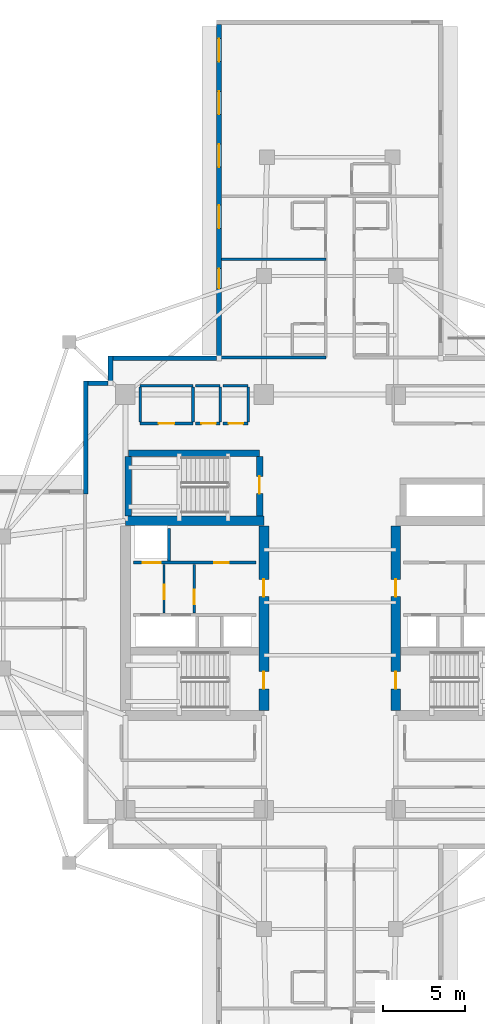
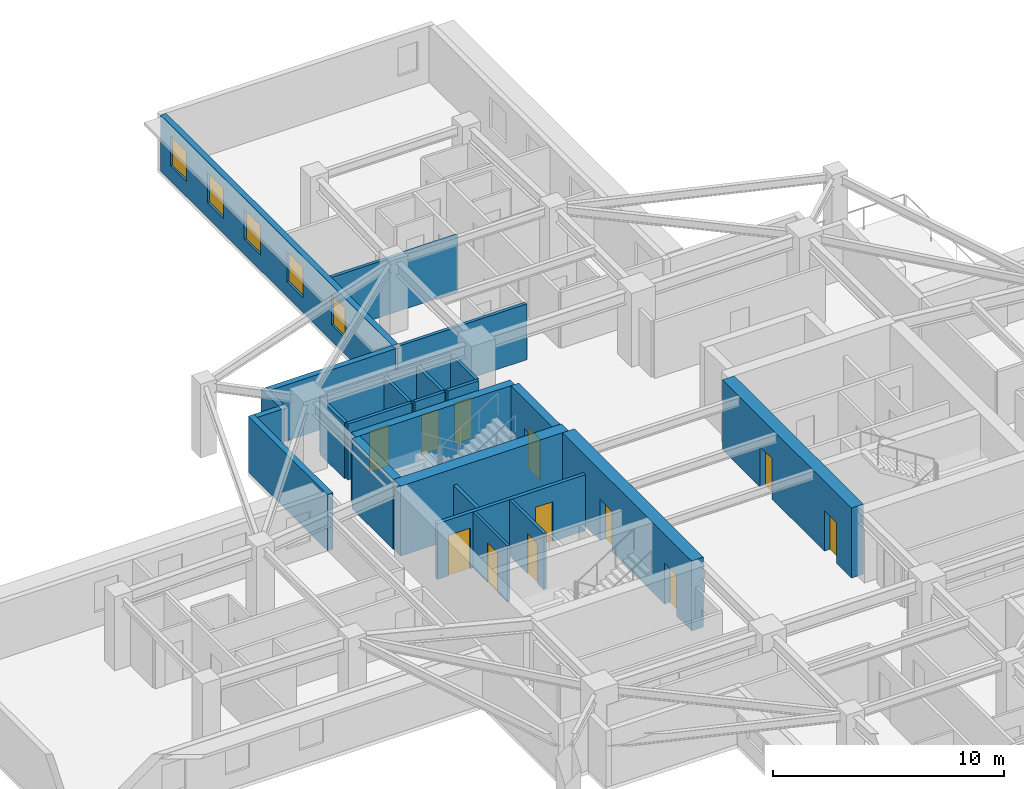
# One storey, part 5 of 13: 27 walls, 12 doors, 5 windows, 17 openings.
"""IFC4 building model written with IfcOpenShell, lengths in metres."""

from ifc_helpers import new_model, si_unit, direction, frame, frame_2d, origin, place, context, subcontext, project, spatial, rectangle, extrude, material, layer, layer_set, type_object, element, fill, save


model = new_model("IFC4")

# Units and contexts
model_context = context("Model", 3, precision=1e-05, world=origin(), true_north=direction((0.0, 1.0)))
body_context = subcontext(model_context, "Body", "Model", "MODEL_VIEW")
ifc_project = project(units=[si_unit("LENGTHUNIT", "METRE"), si_unit("AREAUNIT", "SQUARE_METRE"), si_unit("VOLUMEUNIT", "CUBIC_METRE"), si_unit("PLANEANGLEUNIT", "RADIAN"), si_unit("MASSUNIT", "GRAM", prefix="KILO")], contexts=[model_context])

# Site, building, storey
site_placement = place(None, origin())
site = spatial("IfcSite", under=ifc_project, at=site_placement, CompositionType="ELEMENT")
building_placement = place(site_placement, origin())
building = spatial("IfcBuilding", under=site, at=building_placement, Name="Qingluan Cross Belvedere", CompositionType="ELEMENT")
storey_placement = place(building_placement, frame((0.0, 0.0, 183.89990234375)))
storey = spatial("IfcBuildingStorey", under=building, at=storey_placement, Name="L46", CompositionType="ELEMENT", Elevation=183.89990234375)

# Walls
ifc_material_1 = material(Name="Concrete C50", Category="concrete")
ifc_layer_1 = layer(ifc_material_1, 0.449951171875, Name="CoreShearWall_450")
ifc_layer_set_1 = layer_set([ifc_layer_1], Name="Concrete C50")
wall_type_1 = type_object("IfcWallType", Name="CoreShearWall_450", PredefinedType="SHEAR", material=ifc_layer_set_1)
wall_1_placement = place(storey_placement, frame((-12.219970703125, 9.0400390625, 0.0), z_axis=(0.0, 0.0, 1.0), x_axis=(1.0, 0.0, 0.0)))
element("IfcWall", 1, at=wall_1_placement, inside=storey, type_object=wall_type_1, Name="Stair ST3 structural wall N L46", PredefinedType="SHEAR", context=body_context, shape_type="SweptSolid", body=[
    extrude(rectangle(XDim=7.9599609375, YDim=0.39990234375, at=frame_2d((3.97998046875, 0.0))), origin(), (0.0, 0.0, 1.0), 3.7001953125),
])
wall_2_placement = place(storey_placement, frame((-12.219970703125, 5.2548828125, 0.0), z_axis=(0.0, 0.0, 1.0), x_axis=(0.0, 1.0, 0.0)))
element("IfcWall", 2, at=wall_2_placement, inside=storey, type_object=wall_type_1, Name="Stair ST3 structural wall W L46", PredefinedType="SHEAR", context=body_context, shape_type="SweptSolid", body=[
    extrude(rectangle(XDim=3.580078125, YDim=0.39990234375, at=frame_2d((1.7900390625, 0.0))), origin(), (0.0, 0.0, 1.0), 3.7001953125),
])

# Wall, opening, door
wall_3_placement = place(storey_placement, frame((-4.260009765625, 5.2548828125, 0.0), z_axis=(0.0, 0.0, 1.0), x_axis=(0.0, 1.0, 0.0)))
wall_3 = element("IfcWall", 3, at=wall_3_placement, inside=storey, type_object=wall_type_1, Name="Stair ST3 structural wall E L46", PredefinedType="SHEAR", context=body_context, shape_type="SweptSolid", body=[
    extrude(rectangle(XDim=3.580078125, YDim=0.39990234375, at=frame_2d((1.7900390625, 0.0))), origin(), (0.0, 0.0, 1.0), 3.7001953125),
])
opening_1_placement = place(wall_3_placement, frame((1.344970703125, 0.0, 0.0)))
opening_1 = element("IfcOpeningElement", 4, at=opening_1_placement, cuts=wall_3, Name="Opening FD-B11", PredefinedType="OPENING", context=body_context, shape_type="SweptSolid", body=[
    extrude(rectangle(XDim=1.050048828125, YDim=2.14990234375, at=frame_2d((0.52490234375, 1.074951171875))), frame((0.0, 0.2099609375, 0.0), z_axis=(0.0, -1.0, 0.0), x_axis=(1.0, 0.0, 0.0)), (0.0, 0.0, 1.0), 0.419921875),
])
ifc_material_2 = material(Name="Steel Class B smoke-seal fire door", Category="steel")
door_type_1 = type_object("IfcDoorType", Name="StairLobbyFireDoor_FDB", OperationType="NOTDEFINED", PredefinedType="DOOR", material=ifc_material_2)
door_1_placement = place(opening_1_placement, origin())
door_1 = element("IfcDoor", 5, at=door_1_placement, inside=storey, type_object=door_type_1, Name="Smoke-proof stair ST3 fire door L46", OperationType="SINGLE_SWING_RIGHT", OverallHeight=2.14990234375, OverallWidth=1.050048828125, PredefinedType="DOOR", context=body_context, shape_type="SweptSolid", body=[
    extrude(rectangle(XDim=1.050048828125, YDim=2.14990234375, at=frame_2d((0.52490234375, 1.074951171875))), frame((0.0, 0.02490234375, 0.0), z_axis=(0.0, -1.0, 0.0), x_axis=(1.0, 0.0, 0.0)), (0.0, 0.0, 1.0), 0.050048828125),
])
fill(opening_1, door_1)

# Wall
ifc_material_3 = material(Name="Concrete C60", Category="concrete")
ifc_layer_2 = layer(ifc_material_3, 0.60009765625, Name="CoreShearWall_600")
ifc_layer_set_2 = layer_set([ifc_layer_2], Name="Concrete C60")
wall_type_2 = type_object("IfcWallType", Name="CoreShearWall_600", PredefinedType="SHEAR", material=ifc_layer_set_2)
wall_4_placement = place(storey_placement, frame((-12.39990234375, 4.949951171875, 0.0), z_axis=(0.0, 0.0, 1.0), x_axis=(1.0, 0.0, 0.0)))
element("IfcWall", 6, at=wall_4_placement, inside=storey, type_object=wall_type_2, Name="Split core W shear wall L46-N", PredefinedType="SHEAR", context=body_context, shape_type="SweptSolid", body=[
    extrude(rectangle(XDim=8.39990234375, YDim=0.60009765625, at=frame_2d((4.199951171875, 0.0))), origin(), (0.0, 0.0, 1.0), 3.7001953125),
])

# Wall, openings, doors
wall_5_placement = place(storey_placement, frame((-4.0, -6.544921875, 0.0), z_axis=(0.0, 0.0, 1.0), x_axis=(0.0, 1.0, 0.0)))
wall_5 = element("IfcWall", 7, at=wall_5_placement, inside=storey, type_object=wall_type_2, Name="Split core W shear wall L46-E", PredefinedType="SHEAR", context=body_context, shape_type="SweptSolid", body=[
    extrude(rectangle(XDim=11.18994140625, YDim=0.60009765625, at=frame_2d((5.594970703125, 0.0))), origin(), (0.0, 0.0, 1.0), 3.7001953125),
])
opening_2_placement = place(wall_5_placement, frame((1.294921875, 0.0, 0.0)))
opening_2 = element("IfcOpeningElement", 8, at=opening_2_placement, cuts=wall_5, Name="Opening FD-B11", PredefinedType="OPENING", context=body_context, shape_type="SweptSolid", body=[
    extrude(rectangle(XDim=1.050048828125, YDim=2.14990234375, at=frame_2d((0.52490234375, 1.074951171875))), frame((0.0, 0.31005859375, 0.0), z_axis=(0.0, -1.0, 0.0), x_axis=(1.0, 0.0, 0.0)), (0.0, 0.0, 1.0), 0.6201171875),
])
opening_3_placement = place(wall_5_placement, frame((6.89501953125, 0.0, 0.0)))
opening_3 = element("IfcOpeningElement", 9, at=opening_3_placement, cuts=wall_5, Name="Opening FD-B11", PredefinedType="OPENING", context=body_context, shape_type="SweptSolid", body=[
    extrude(rectangle(XDim=1.050048828125, YDim=2.14990234375, at=frame_2d((0.52490234375, 1.074951171875))), frame((0.0, 0.31005859375, 0.0), z_axis=(0.0, -1.0, 0.0), x_axis=(1.0, 0.0, 0.0)), (0.0, 0.0, 1.0), 0.6201171875),
])
door_2_placement = place(opening_2_placement, origin())
door_2 = element("IfcDoor", 10, at=door_2_placement, inside=storey, type_object=door_type_1, Name="Smoke-proof stair ST1 fire door L46", OperationType="SINGLE_SWING_RIGHT", OverallHeight=2.14990234375, OverallWidth=1.050048828125, PredefinedType="DOOR", context=body_context, shape_type="SweptSolid", body=[
    extrude(rectangle(XDim=1.050048828125, YDim=2.14990234375, at=frame_2d((0.52490234375, 1.074951171875))), frame((0.0, 0.02490234375, 0.0), z_axis=(0.0, -1.0, 0.0), x_axis=(1.0, 0.0, 0.0)), (0.0, 0.0, 1.0), 0.050048828125),
])
fill(opening_2, door_2)
door_3_placement = place(opening_3_placement, origin())
door_3 = element("IfcDoor", 11, at=door_3_placement, inside=storey, type_object=door_type_1, Name="Firefighting lobby West fire door L46", OperationType="SINGLE_SWING_RIGHT", OverallHeight=2.14990234375, OverallWidth=1.050048828125, PredefinedType="DOOR", context=body_context, shape_type="SweptSolid", body=[
    extrude(rectangle(XDim=1.050048828125, YDim=2.14990234375, at=frame_2d((0.52490234375, 1.074951171875))), frame((0.0, 0.02490234375, 0.0), z_axis=(0.0, -1.0, 0.0), x_axis=(1.0, 0.0, 0.0)), (0.0, 0.0, 1.0), 0.050048828125),
])
fill(opening_3, door_3)

wall_6_placement = place(storey_placement, frame((4.0, -6.544921875, 0.0), z_axis=(0.0, 0.0, 1.0), x_axis=(0.0, 1.0, 0.0)))
wall_6 = element("IfcWall", 12, at=wall_6_placement, inside=storey, type_object=wall_type_2, Name="Split core E shear wall L46-W", PredefinedType="SHEAR", context=body_context, shape_type="SweptSolid", body=[
    extrude(rectangle(XDim=11.18994140625, YDim=0.60009765625, at=frame_2d((5.594970703125, 0.0))), origin(), (0.0, 0.0, 1.0), 3.7001953125),
])
opening_4_placement = place(wall_6_placement, frame((1.294921875, 0.0, 0.0)))
opening_4 = element("IfcOpeningElement", 13, at=opening_4_placement, cuts=wall_6, Name="Opening FD-B11", PredefinedType="OPENING", context=body_context, shape_type="SweptSolid", body=[
    extrude(rectangle(XDim=1.050048828125, YDim=2.14990234375, at=frame_2d((0.52490234375, 1.074951171875))), frame((0.0, 0.31005859375, 0.0), z_axis=(0.0, -1.0, 0.0), x_axis=(1.0, 0.0, 0.0)), (0.0, 0.0, 1.0), 0.6201171875),
])
opening_5_placement = place(wall_6_placement, frame((6.89501953125, 0.0, 0.0)))
opening_5 = element("IfcOpeningElement", 14, at=opening_5_placement, cuts=wall_6, Name="Opening FD-B11", PredefinedType="OPENING", context=body_context, shape_type="SweptSolid", body=[
    extrude(rectangle(XDim=1.050048828125, YDim=2.14990234375, at=frame_2d((0.52490234375, 1.074951171875))), frame((0.0, 0.31005859375, 0.0), z_axis=(0.0, -1.0, 0.0), x_axis=(1.0, 0.0, 0.0)), (0.0, 0.0, 1.0), 0.6201171875),
])
door_4_placement = place(opening_4_placement, origin())
door_4 = element("IfcDoor", 15, at=door_4_placement, inside=storey, type_object=door_type_1, Name="Smoke-proof stair ST2 fire door L46", OperationType="SINGLE_SWING_LEFT", OverallHeight=2.14990234375, OverallWidth=1.050048828125, PredefinedType="DOOR", context=body_context, shape_type="SweptSolid", body=[
    extrude(rectangle(XDim=1.050048828125, YDim=2.14990234375, at=frame_2d((0.52490234375, 1.074951171875))), frame((0.0, 0.02490234375, 0.0), z_axis=(0.0, -1.0, 0.0), x_axis=(1.0, 0.0, 0.0)), (0.0, 0.0, 1.0), 0.050048828125),
])
fill(opening_4, door_4)
door_5_placement = place(opening_5_placement, origin())
door_5 = element("IfcDoor", 16, at=door_5_placement, inside=storey, type_object=door_type_1, Name="Firefighting lobby East fire door L46", OperationType="SINGLE_SWING_LEFT", OverallHeight=2.14990234375, OverallWidth=1.050048828125, PredefinedType="DOOR", context=body_context, shape_type="SweptSolid", body=[
    extrude(rectangle(XDim=1.050048828125, YDim=2.14990234375, at=frame_2d((0.52490234375, 1.074951171875))), frame((0.0, 0.02490234375, 0.0), z_axis=(0.0, -1.0, 0.0), x_axis=(1.0, 0.0, 0.0)), (0.0, 0.0, 1.0), 0.050048828125),
])
fill(opening_5, door_5)

# Wall, opening, door
ifc_material_4 = material(Name="Gypsum plasterboard on steel stud acoustic partition", Category="steel")
ifc_layer_3 = layer(ifc_material_4, 0.159912109375, Name="CorridorPartition_160")
ifc_layer_set_3 = layer_set([ifc_layer_3], Name="Gypsum plasterboard on steel stud acoustic partition")
wall_type_3 = type_object("IfcWallType", Name="CorridorPartition_160", PredefinedType="PARTITIONING", material=ifc_layer_set_3)
wall_7_placement = place(storey_placement, frame((-10.050048828125, -0.652099609375, 0.0), z_axis=(0.0, 0.0, 1.0), x_axis=(0.0, 1.0, 0.0)))
wall_7 = element("IfcWall", 17, at=wall_7_placement, inside=storey, type_object=wall_type_3, Name="Partition L46:wv", PredefinedType="PARTITIONING", context=body_context, shape_type="SweptSolid", body=[
    extrude(rectangle(XDim=2.962158203125, YDim=0.139892578125, at=frame_2d((1.48095703125, 0.0))), origin(), (0.0, 0.0, 1.0), 2.960205078125),
])
opening_6_placement = place(wall_7_placement, frame((0.85009765625, 0.0, 0.0)))
opening_6 = element("IfcOpeningElement", 18, at=opening_6_placement, cuts=wall_7, Name="Opening FD-B10", PredefinedType="OPENING", context=body_context, shape_type="SweptSolid", body=[
    extrude(rectangle(XDim=0.8798828125, YDim=2.10009765625, at=frame_2d((0.43994140625, 1.050048828125))), frame((0.0, 0.079833984375, 0.0), z_axis=(0.0, -1.0, 0.0), x_axis=(1.0, 0.0, 0.0)), (0.0, 0.0, 1.0), 0.159912109375),
])
ifc_material_5 = material(Name="Steel Class B service fire door", Category="steel")
door_type_2 = type_object("IfcDoorType", Name="RiserServiceFireDoor_FDB", OperationType="NOTDEFINED", PredefinedType="DOOR", material=ifc_material_5)
door_6_placement = place(opening_6_placement, origin())
door_6 = element("IfcDoor", 19, at=door_6_placement, inside=storey, type_object=door_type_2, Name="Service closet inner door L46", OperationType="SINGLE_SWING_LEFT", OverallHeight=2.10009765625, OverallWidth=0.8798828125, PredefinedType="DOOR", context=body_context, shape_type="SweptSolid", body=[
    extrude(rectangle(XDim=0.8798828125, YDim=2.10009765625, at=frame_2d((0.43994140625, 1.050048828125))), frame((0.0, 0.02490234375, 0.0), z_axis=(0.0, -1.0, 0.0), x_axis=(1.0, 0.0, 0.0)), (0.0, 0.0, 1.0), 0.050048828125),
])
fill(opening_6, door_6)

wall_8_placement = place(storey_placement, frame((-11.5, 10.85009765625, 0.0), z_axis=(0.0, 0.0, 1.0), x_axis=(1.0, 0.0, 0.0)))
wall_8 = element("IfcWall", 20, at=wall_8_placement, inside=storey, type_object=wall_type_3, Name="Partition L46:q_nw_occ:S", PredefinedType="PARTITIONING", context=body_context, shape_type="SweptSolid", body=[
    extrude(rectangle(XDim=3.199951171875, YDim=0.159912109375, at=frame_2d((1.60009765625, 0.0))), origin(), (0.0, 0.0, 1.0), 2.960205078125),
])
opening_7_placement = place(wall_8_placement, frame((1.1201171875, 0.0, 0.0)))
opening_7 = element("IfcOpeningElement", 21, at=opening_7_placement, cuts=wall_8, Name="Opening GD-10", PredefinedType="OPENING", context=body_context, shape_type="SweptSolid", body=[
    extrude(rectangle(XDim=0.9599609375, YDim=2.14990234375, at=frame_2d((0.47998046875, 1.074951171875))), frame((0.0, 0.08984375, 0.0), z_axis=(0.0, -1.0, 0.0), x_axis=(1.0, 0.0, 0.0)), (0.0, 0.0, 1.0), 0.179931640625),
])
ifc_material_6 = material(Name="Timber oak fire-rated acoustic guestroom door", Category="wood")
door_type_3 = type_object("IfcDoorType", Name="GuestEntryDoor_FD60", OperationType="NOTDEFINED", PredefinedType="DOOR", material=ifc_material_6)
door_7_placement = place(opening_7_placement, origin())
door_7 = element("IfcDoor", 22, at=door_7_placement, inside=storey, type_object=door_type_3, Name="Northwest corner reading salon L46 door", OperationType="SINGLE_SWING_RIGHT", OverallHeight=2.14990234375, OverallWidth=0.9599609375, PredefinedType="DOOR", context=body_context, shape_type="SweptSolid", body=[
    extrude(rectangle(XDim=0.9599609375, YDim=2.14990234375, at=frame_2d((0.47998046875, 1.074951171875))), frame((0.0, 0.02490234375, 0.0), z_axis=(0.0, -1.0, 0.0), x_axis=(1.0, 0.0, 0.0)), (0.0, 0.0, 1.0), 0.050048828125),
])
fill(opening_7, door_7)

# Walls
wall_9_placement = place(storey_placement, frame((-11.5, 13.14990234375, 0.0), z_axis=(0.0, 0.0, 1.0), x_axis=(1.0, 0.0, 0.0)))
element("IfcWall", 23, at=wall_9_placement, inside=storey, type_object=wall_type_3, Name="Partition L46:q_nw_occ:N", PredefinedType="PARTITIONING", context=body_context, shape_type="SweptSolid", body=[
    extrude(rectangle(XDim=3.199951171875, YDim=0.159912109375, at=frame_2d((1.60009765625, 0.0))), origin(), (0.0, 0.0, 1.0), 2.960205078125),
])
for number, where, z_axis, x_axis, name in (
    (24, (-11.5, 10.93505859375, 0.0), (0.0, 0.0, 1.0), (0.0, 1.0, 0.0), "Partition L46:q_nw_occ:W"),
    (25, (-8.300048828125, 10.93505859375, 0.0), (0.0, 0.0, 1.0), (0.0, 1.0, 0.0), "Partition L46:q_nw_occ:E"),
):
    element("IfcWall", number, at=place(storey_placement, frame(where, z_axis=z_axis, x_axis=x_axis)), inside=storey, type_object=wall_type_3, Name=name, PredefinedType="PARTITIONING", context=body_context, shape_type="SweptSolid", body=[
        extrude(rectangle(XDim=2.1298828125, YDim=0.159912109375, at=frame_2d((1.06494140625, 0.0))), origin(), (0.0, 0.0, 1.0), 2.960205078125),
    ])

# Wall, opening, door
wall_10_placement = place(storey_placement, frame((-8.139892578125, 10.85009765625, 0.0), z_axis=(0.0, 0.0, 1.0), x_axis=(1.0, 0.0, 0.0)))
wall_10 = element("IfcWall", 26, at=wall_10_placement, inside=storey, type_object=wall_type_3, Name="Partition L46:hk_linen:S", PredefinedType="PARTITIONING", context=body_context, shape_type="SweptSolid", body=[
    extrude(rectangle(XDim=1.489990234375, YDim=0.159912109375, at=frame_2d((0.7451171875, 0.0))), origin(), (0.0, 0.0, 1.0), 2.960205078125),
])
opening_8_placement = place(wall_10_placement, frame((0.35009765625, 0.0, 0.0)))
opening_8 = element("IfcOpeningElement", 27, at=opening_8_placement, cuts=wall_10, Name="Opening FD-B10", PredefinedType="OPENING", context=body_context, shape_type="SweptSolid", body=[
    extrude(rectangle(XDim=0.8798828125, YDim=2.10009765625, at=frame_2d((0.43994140625, 1.050048828125))), frame((0.0, 0.08984375, 0.0), z_axis=(0.0, -1.0, 0.0), x_axis=(1.0, 0.0, 0.0)), (0.0, 0.0, 1.0), 0.179931640625),
])
door_8_placement = place(opening_8_placement, origin())
door_8 = element("IfcDoor", 28, at=door_8_placement, inside=storey, type_object=door_type_2, Name="Housekeeping and linen store L46 door", OperationType="SINGLE_SWING_LEFT", OverallHeight=2.10009765625, OverallWidth=0.8798828125, PredefinedType="DOOR", context=body_context, shape_type="SweptSolid", body=[
    extrude(rectangle(XDim=0.8798828125, YDim=2.10009765625, at=frame_2d((0.43994140625, 1.050048828125))), frame((0.0, 0.02490234375, 0.0), z_axis=(0.0, -1.0, 0.0), x_axis=(1.0, 0.0, 0.0)), (0.0, 0.0, 1.0), 0.050048828125),
])
fill(opening_8, door_8)

# Walls
wall_11_placement = place(storey_placement, frame((-8.139892578125, 13.14990234375, 0.0), z_axis=(0.0, 0.0, 1.0), x_axis=(1.0, 0.0, 0.0)))
element("IfcWall", 29, at=wall_11_placement, inside=storey, type_object=wall_type_3, Name="Partition L46:hk_linen:N", PredefinedType="PARTITIONING", context=body_context, shape_type="SweptSolid", body=[
    extrude(rectangle(XDim=1.489990234375, YDim=0.159912109375, at=frame_2d((0.7451171875, 0.0))), origin(), (0.0, 0.0, 1.0), 2.960205078125),
])
wall_12_placement = place(storey_placement, frame((-6.64990234375, 10.93505859375, 0.0), z_axis=(0.0, 0.0, 1.0), x_axis=(0.0, 1.0, 0.0)))
element("IfcWall", 30, at=wall_12_placement, inside=storey, type_object=wall_type_3, Name="Partition L46:hk_linen:E", PredefinedType="PARTITIONING", context=body_context, shape_type="SweptSolid", body=[
    extrude(rectangle(XDim=2.1298828125, YDim=0.159912109375, at=frame_2d((1.06494140625, 0.0))), origin(), (0.0, 0.0, 1.0), 2.960205078125),
])

# Wall, opening, door
wall_13_placement = place(storey_placement, frame((-6.489990234375, 10.85009765625, 0.0), z_axis=(0.0, 0.0, 1.0), x_axis=(1.0, 0.0, 0.0)))
wall_13 = element("IfcWall", 31, at=wall_13_placement, inside=storey, type_object=wall_type_3, Name="Partition L46:floor_acc_wc:S", PredefinedType="PARTITIONING", context=body_context, shape_type="SweptSolid", body=[
    extrude(rectangle(XDim=1.5400390625, YDim=0.159912109375, at=frame_2d((0.77001953125, 0.0))), origin(), (0.0, 0.0, 1.0), 2.960205078125),
])
opening_9_placement = place(wall_13_placement, frame((0.35009765625, 0.0, 0.0)))
opening_9 = element("IfcOpeningElement", 32, at=opening_9_placement, cuts=wall_13, Name="Opening BD-08", PredefinedType="OPENING", context=body_context, shape_type="SweptSolid", body=[
    extrude(rectangle(XDim=0.8798828125, YDim=2.14990234375, at=frame_2d((0.43994140625, 1.074951171875))), frame((0.0, 0.08984375, 0.0), z_axis=(0.0, -1.0, 0.0), x_axis=(1.0, 0.0, 0.0)), (0.0, 0.0, 1.0), 0.179931640625),
])
ifc_material_7 = material(Name="Moisture-sealed timber accessible WC door", Category="wood")
door_type_4 = type_object("IfcDoorType", Name="AccessibleWCDoor_880", OperationType="NOTDEFINED", PredefinedType="DOOR", material=ifc_material_7)
door_9_placement = place(opening_9_placement, origin())
door_9 = element("IfcDoor", 33, at=door_9_placement, inside=storey, type_object=door_type_4, Name="Accessible guest washroom L46 door", OperationType="SINGLE_SWING_RIGHT", OverallHeight=2.14990234375, OverallWidth=0.8798828125, PredefinedType="DOOR", context=body_context, shape_type="SweptSolid", body=[
    extrude(rectangle(XDim=0.8798828125, YDim=2.14990234375, at=frame_2d((0.43994140625, 1.074951171875))), frame((0.0, 0.02490234375, 0.0), z_axis=(0.0, -1.0, 0.0), x_axis=(1.0, 0.0, 0.0)), (0.0, 0.0, 1.0), 0.050048828125),
])
fill(opening_9, door_9)

# Walls
wall_14_placement = place(storey_placement, frame((-6.489990234375, 13.14990234375, 0.0), z_axis=(0.0, 0.0, 1.0), x_axis=(1.0, 0.0, 0.0)))
element("IfcWall", 34, at=wall_14_placement, inside=storey, type_object=wall_type_3, Name="Partition L46:floor_acc_wc:N", PredefinedType="PARTITIONING", context=body_context, shape_type="SweptSolid", body=[
    extrude(rectangle(XDim=1.5400390625, YDim=0.159912109375, at=frame_2d((0.77001953125, 0.0))), origin(), (0.0, 0.0, 1.0), 2.960205078125),
])
wall_15_placement = place(storey_placement, frame((-4.949951171875, 10.93505859375, 0.0), z_axis=(0.0, 0.0, 1.0), x_axis=(0.0, 1.0, 0.0)))
element("IfcWall", 35, at=wall_15_placement, inside=storey, type_object=wall_type_3, Name="Partition L46:floor_acc_wc:E", PredefinedType="PARTITIONING", context=body_context, shape_type="SweptSolid", body=[
    extrude(rectangle(XDim=2.1298828125, YDim=0.159912109375, at=frame_2d((1.06494140625, 0.0))), origin(), (0.0, 0.0, 1.0), 2.960205078125),
])
wall_16_placement = place(storey_placement, frame((-0.239990234375, 14.85009765625, 0.0), z_axis=(0.0, 0.0, 1.0), x_axis=(-1.0, 0.0, 0.0)))
element("IfcWall", 36, at=wall_16_placement, inside=storey, type_object=wall_type_3, Name="Partition L46:N:s1", PredefinedType="PARTITIONING", context=body_context, shape_type="SweptSolid", body=[
    extrude(rectangle(XDim=6.47998046875, YDim=0.159912109375, at=frame_2d((3.239990234375, 0.0))), origin(), (0.0, 0.0, 1.0), 2.960205078125),
])
wall_17_placement = place(storey_placement, frame((-0.239990234375, 20.800048828125, 0.0), z_axis=(0.0, 0.0, 1.0), x_axis=(-1.0, 0.0, 0.0)))
element("IfcWall", 37, at=wall_17_placement, inside=storey, type_object=wall_type_3, Name="Partition L46:N:d1_0", PredefinedType="PARTITIONING", context=body_context, shape_type="SweptSolid", body=[
    extrude(rectangle(XDim=6.33203125, YDim=0.159912109375, at=frame_2d((3.166015625, 0.0))), origin(), (0.0, 0.0, 1.0), 2.960205078125),
])

# Wall, openings, windows
ifc_material_8 = material(Name="Precast concrete C45", Category="concrete")
ifc_layer_4 = layer(ifc_material_8, 0.280029296875, Name="PrecastFacadeWall_280")
ifc_layer_set_4 = layer_set([ifc_layer_4], Name="Precast concrete C45")
wall_type_4 = type_object("IfcWallType", Name="PrecastFacadeWall_280", PredefinedType="STANDARD", material=ifc_layer_set_4)
wall_18_placement = place(storey_placement, frame((-6.719970703125, 35.0400390625, 0.0), z_axis=(0.0, 0.0, 1.0), x_axis=(0.0, -1.0, 0.0)))
wall_18 = element("IfcWall", 38, at=wall_18_placement, inside=storey, type_object=wall_type_4, Name="Facade wall L46-NB", PredefinedType="STANDARD", context=body_context, shape_type="SweptSolid", body=[
    extrude(rectangle(XDim=20.10009765625, YDim=0.280029296875, at=frame_2d((10.050048828125, 0.0))), origin(), (0.0, 0.0, 1.0), 2.97021484375),
])
opening_10_placement = place(wall_18_placement, frame((0.85009765625, 0.0, 0.800048828125)))
opening_10 = element("IfcOpeningElement", 39, at=opening_10_placement, cuts=wall_18, Name="Opening W-01", PredefinedType="OPENING", context=body_context, shape_type="SweptSolid", body=[
    extrude(rectangle(XDim=1.39990234375, YDim=1.60009765625, at=frame_2d((0.699951171875, 0.800048828125))), frame((0.0, 0.14990234375, 0.0), z_axis=(0.0, -1.0, 0.0), x_axis=(1.0, 0.0, 0.0)), (0.0, 0.0, 1.0), 0.300048828125),
])
opening_11_placement = place(wall_18_placement, frame((4.050048828125, 0.0, 0.800048828125)))
opening_11 = element("IfcOpeningElement", 40, at=opening_11_placement, cuts=wall_18, Name="Opening W-01", PredefinedType="OPENING", context=body_context, shape_type="SweptSolid", body=[
    extrude(rectangle(XDim=1.39990234375, YDim=1.60009765625, at=frame_2d((0.699951171875, 0.800048828125))), frame((0.0, 0.14990234375, 0.0), z_axis=(0.0, -1.0, 0.0), x_axis=(1.0, 0.0, 0.0)), (0.0, 0.0, 1.0), 0.300048828125),
])
opening_12_placement = place(wall_18_placement, frame((7.25, 0.0, 0.800048828125)))
opening_12 = element("IfcOpeningElement", 41, at=opening_12_placement, cuts=wall_18, Name="Opening W-01", PredefinedType="OPENING", context=body_context, shape_type="SweptSolid", body=[
    extrude(rectangle(XDim=1.39990234375, YDim=1.60009765625, at=frame_2d((0.699951171875, 0.800048828125))), frame((0.0, 0.14990234375, 0.0), z_axis=(0.0, -1.0, 0.0), x_axis=(1.0, 0.0, 0.0)), (0.0, 0.0, 1.0), 0.300048828125),
])
opening_13_placement = place(wall_18_placement, frame((10.949951171875, 0.0, 0.800048828125)))
opening_13 = element("IfcOpeningElement", 42, at=opening_13_placement, cuts=wall_18, Name="Opening W-01", PredefinedType="OPENING", context=body_context, shape_type="SweptSolid", body=[
    extrude(rectangle(XDim=1.39990234375, YDim=1.60009765625, at=frame_2d((0.699951171875, 0.800048828125))), frame((0.0, 0.14990234375, 0.0), z_axis=(0.0, -1.0, 0.0), x_axis=(1.0, 0.0, 0.0)), (0.0, 0.0, 1.0), 0.300048828125),
])
opening_14_placement = place(wall_18_placement, frame((14.799072265625, 0.0, 0.85009765625)))
opening_14 = element("IfcOpeningElement", 43, at=opening_14_placement, cuts=wall_18, Name="Opening W-02", PredefinedType="OPENING", context=body_context, shape_type="SweptSolid", body=[
    extrude(rectangle(XDim=1.199951171875, YDim=1.60009765625, at=frame_2d((0.60009765625, 0.800048828125))), frame((0.0, 0.14990234375, 0.0), z_axis=(0.0, -1.0, 0.0), x_axis=(1.0, 0.0, 0.0)), (0.0, 0.0, 1.0), 0.300048828125),
])
ifc_material_9 = material(Name="Thermally broken triple Low-E glass in aluminium frame", Category="aluminium")
window_type_1 = type_object("IfcWindowType", Name="TriRibbonWin_1200x1600", PartitioningType="SINGLE_PANEL", PredefinedType="WINDOW", material=ifc_material_9)
window_1_placement = place(opening_14_placement, origin())
window_1 = element("IfcWindow", 44, at=window_1_placement, inside=storey, type_object=window_type_1, Name="Corner hotel suite 4607 daylight window", OverallHeight=1.60009765625, OverallWidth=1.199951171875, PartitioningType="SINGLE_PANEL", PredefinedType="WINDOW", context=body_context, shape_type="SweptSolid", body=[
    extrude(rectangle(XDim=1.199951171875, YDim=1.60009765625, at=frame_2d((0.60009765625, 0.800048828125))), frame((0.0, 0.030029296875, 0.0), z_axis=(0.0, -1.0, 0.0), x_axis=(1.0, 0.0, 0.0)), (0.0, 0.0, 1.0), 0.06005859375),
])
fill(opening_14, window_1)
ifc_material_10 = material(Name="Thermally broken triple Low-E glass in aluminium frame", Category="aluminium")
window_type_2 = type_object("IfcWindowType", Name="TriRibbonWin_1400x1600", PartitioningType="SINGLE_PANEL", PredefinedType="WINDOW", material=ifc_material_10)
window_2_placement = place(opening_10_placement, origin())
window_2 = element("IfcWindow", 45, at=window_2_placement, inside=storey, type_object=window_type_2, Name="Ribbon window L46-NB-1", OverallHeight=1.60009765625, OverallWidth=1.39990234375, PartitioningType="SINGLE_PANEL", PredefinedType="WINDOW", context=body_context, shape_type="SweptSolid", body=[
    extrude(rectangle(XDim=1.39990234375, YDim=1.60009765625, at=frame_2d((0.699951171875, 0.800048828125))), frame((0.0, 0.030029296875, 0.0), z_axis=(0.0, -1.0, 0.0), x_axis=(1.0, 0.0, 0.0)), (0.0, 0.0, 1.0), 0.06005859375),
])
fill(opening_10, window_2)
window_3_placement = place(opening_11_placement, origin())
window_3 = element("IfcWindow", 46, at=window_3_placement, inside=storey, type_object=window_type_2, Name="Ribbon window L46-NB-2", OverallHeight=1.60009765625, OverallWidth=1.39990234375, PartitioningType="SINGLE_PANEL", PredefinedType="WINDOW", context=body_context, shape_type="SweptSolid", body=[
    extrude(rectangle(XDim=1.39990234375, YDim=1.60009765625, at=frame_2d((0.699951171875, 0.800048828125))), frame((0.0, 0.030029296875, 0.0), z_axis=(0.0, -1.0, 0.0), x_axis=(1.0, 0.0, 0.0)), (0.0, 0.0, 1.0), 0.06005859375),
])
fill(opening_11, window_3)
window_4_placement = place(opening_12_placement, origin())
window_4 = element("IfcWindow", 47, at=window_4_placement, inside=storey, type_object=window_type_2, Name="Ribbon window L46-NB-3", OverallHeight=1.60009765625, OverallWidth=1.39990234375, PartitioningType="SINGLE_PANEL", PredefinedType="WINDOW", context=body_context, shape_type="SweptSolid", body=[
    extrude(rectangle(XDim=1.39990234375, YDim=1.60009765625, at=frame_2d((0.699951171875, 0.800048828125))), frame((0.0, 0.030029296875, 0.0), z_axis=(0.0, -1.0, 0.0), x_axis=(1.0, 0.0, 0.0)), (0.0, 0.0, 1.0), 0.06005859375),
])
fill(opening_12, window_4)
window_5_placement = place(opening_13_placement, origin())
window_5 = element("IfcWindow", 48, at=window_5_placement, inside=storey, type_object=window_type_2, Name="Ribbon window L46-NB-4", OverallHeight=1.60009765625, OverallWidth=1.39990234375, PartitioningType="SINGLE_PANEL", PredefinedType="WINDOW", context=body_context, shape_type="SweptSolid", body=[
    extrude(rectangle(XDim=1.39990234375, YDim=1.60009765625, at=frame_2d((0.699951171875, 0.800048828125))), frame((0.0, 0.030029296875, 0.0), z_axis=(0.0, -1.0, 0.0), x_axis=(1.0, 0.0, 0.0)), (0.0, 0.0, 1.0), 0.06005859375),
])
fill(opening_13, window_5)

# Walls
wall_19_placement = place(storey_placement, frame((-14.800048828125, 6.580078125, 0.0), z_axis=(0.0, 0.0, 1.0), x_axis=(0.0, 1.0, 0.0)))
element("IfcWall", 49, at=wall_19_placement, inside=storey, type_object=wall_type_4, Name="Corner wall L46-NW1", PredefinedType="STANDARD", context=body_context, shape_type="SweptSolid", body=[
    extrude(rectangle(XDim=6.85986328125, YDim=0.280029296875, at=frame_2d((3.429931640625, 0.0))), origin(), (0.0, 0.0, 1.0), 2.97021484375),
])
wall_20_placement = place(storey_placement, frame((-14.659912109375, 13.300048828125, 0.0), z_axis=(0.0, 0.0, 1.0), x_axis=(1.0, 0.0, 0.0)))
element("IfcWall", 50, at=wall_20_placement, inside=storey, type_object=wall_type_4, Name="Corner wall L46-NW2", PredefinedType="STANDARD", context=body_context, shape_type="SweptSolid", body=[
    extrude(rectangle(XDim=1.219970703125, YDim=0.280029296875, at=frame_2d((0.60986328125, 0.0))), origin(), (0.0, 0.0, 1.0), 2.97021484375),
])
wall_21_placement = place(storey_placement, frame((-13.300048828125, 13.43994140625, 0.0), z_axis=(0.0, 0.0, 1.0), x_axis=(0.0, 1.0, 0.0)))
element("IfcWall", 51, at=wall_21_placement, inside=storey, type_object=wall_type_4, Name="Corner wall L46-NW3", PredefinedType="STANDARD", context=body_context, shape_type="SweptSolid", body=[
    extrude(rectangle(XDim=1.5, YDim=0.280029296875, at=frame_2d((0.75, 0.0))), origin(), (0.0, 0.0, 1.0), 2.97021484375),
])
wall_22_placement = place(storey_placement, frame((-13.159912109375, 14.800048828125, 0.0), z_axis=(0.0, 0.0, 1.0), x_axis=(1.0, 0.0, 0.0)))
element("IfcWall", 52, at=wall_22_placement, inside=storey, type_object=wall_type_4, Name="Corner wall L46-NW4", PredefinedType="STANDARD", context=body_context, shape_type="SweptSolid", body=[
    extrude(rectangle(XDim=6.2998046875, YDim=0.280029296875, at=frame_2d((3.14990234375, 0.0))), origin(), (0.0, 0.0, 1.0), 2.97021484375),
])

# Wall, openings, doors
ifc_material_11 = material(Name="Concrete C40", Category="concrete")
ifc_layer_5 = layer(ifc_material_11, 0.219970703125, Name="ShaftEnclosureWall_250")
ifc_layer_set_5 = layer_set([ifc_layer_5], Name="Concrete C40")
wall_type_5 = type_object("IfcWallType", Name="ShaftEnclosureWall_250", PredefinedType="SOLIDWALL", material=ifc_layer_set_5)
wall_23_placement = place(storey_placement, frame((-11.89990234375, 2.409912109375, 0.0), z_axis=(0.0, 0.0, 1.0), x_axis=(1.0, 0.0, 0.0)))
wall_23 = element("IfcWall", 53, at=wall_23_placement, inside=storey, type_object=wall_type_5, Name="Core-W north hoistway wall L46", PredefinedType="SOLIDWALL", context=body_context, shape_type="SweptSolid", body=[
    extrude(rectangle(XDim=7.419921875, YDim=0.179931640625, at=frame_2d((3.7099609375, 0.0))), origin(), (0.0, 0.0, 1.0), 2.960205078125),
])
opening_15_placement = place(wall_23_placement, frame((0.550048828125, 0.0, 0.0)))
opening_15 = element("IfcOpeningElement", 54, at=opening_15_placement, cuts=wall_23, Name="Opening LD-11", PredefinedType="OPENING", context=body_context, shape_type="SweptSolid", body=[
    extrude(rectangle(XDim=1.10009765625, YDim=2.14990234375, at=frame_2d((0.550048828125, 1.074951171875))), frame((0.0, 0.099853515625, 0.0), z_axis=(0.0, -1.0, 0.0), x_axis=(1.0, 0.0, 0.0)), (0.0, 0.0, 1.0), 0.199951171875),
])
opening_16_placement = place(wall_23_placement, frame((4.89990234375, 0.0, 0.0)))
opening_16 = element("IfcOpeningElement", 55, at=opening_16_placement, cuts=wall_23, Name="Opening FD-B10", PredefinedType="OPENING", context=body_context, shape_type="SweptSolid", body=[
    extrude(rectangle(XDim=0.8798828125, YDim=2.10009765625, at=frame_2d((0.43994140625, 1.050048828125))), frame((0.0, 0.099853515625, 0.0), z_axis=(0.0, -1.0, 0.0), x_axis=(1.0, 0.0, 0.0)), (0.0, 0.0, 1.0), 0.199951171875),
])
ifc_material_12 = material(Name="Brushed stainless steel centre-opening lift landing door", Category="steel")
door_type_5 = type_object("IfcDoorType", Name="LiftLandingSlidingDoor_1100", OperationType="DOUBLE_DOOR_SLIDING", PredefinedType="DOOR", material=ifc_material_12)
door_10_placement = place(opening_15_placement, origin())
door_10 = element("IfcDoor", 56, at=door_10_placement, inside=storey, type_object=door_type_5, Name="Lift landing sliding door FL1 L46", OperationType="DOUBLE_DOOR_SLIDING", OverallHeight=2.14990234375, OverallWidth=1.10009765625, PredefinedType="DOOR", context=body_context, shape_type="SweptSolid", body=[
    extrude(rectangle(XDim=1.10009765625, YDim=2.14990234375, at=frame_2d((0.550048828125, 1.074951171875))), frame((0.0, 0.02490234375, 0.0), z_axis=(0.0, -1.0, 0.0), x_axis=(1.0, 0.0, 0.0)), (0.0, 0.0, 1.0), 0.050048828125),
])
fill(opening_15, door_10)
door_11_placement = place(opening_16_placement, origin())
door_11 = element("IfcDoor", 57, at=door_11_placement, inside=storey, type_object=door_type_2, Name="Housekeeping supply room door W L46", OperationType="SINGLE_SWING_LEFT", OverallHeight=2.10009765625, OverallWidth=0.8798828125, PredefinedType="DOOR", context=body_context, shape_type="SweptSolid", body=[
    extrude(rectangle(XDim=0.8798828125, YDim=2.10009765625, at=frame_2d((0.43994140625, 1.050048828125))), frame((0.0, 0.02490234375, 0.0), z_axis=(0.0, -1.0, 0.0), x_axis=(1.0, 0.0, 0.0)), (0.0, 0.0, 1.0), 0.050048828125),
])
fill(opening_16, door_11)

# Wall
wall_24_placement = place(storey_placement, frame((-9.760009765625, 2.5, 0.0), z_axis=(0.0, 0.0, 1.0), x_axis=(0.0, 1.0, 0.0)))
element("IfcWall", 58, at=wall_24_placement, inside=storey, type_object=wall_type_5, Name="Hoistway enclosure divider FL1E L46", PredefinedType="SOLIDWALL", context=body_context, shape_type="SweptSolid", body=[
    extrude(rectangle(XDim=1.989990234375, YDim=0.179931640625, at=frame_2d((0.9951171875, 0.0))), origin(), (0.0, 0.0, 1.0), 2.960205078125),
])

# Wall, opening, door
wall_25_placement = place(storey_placement, frame((-8.219970703125, -0.64990234375, 0.0), z_axis=(0.0, 0.0, 1.0), x_axis=(0.0, 1.0, 0.0)))
wall_25 = element("IfcWall", 59, at=wall_25_placement, inside=storey, type_object=wall_type_5, Name="Core-W service corridor wall L46", PredefinedType="SOLIDWALL", context=body_context, shape_type="SweptSolid", body=[
    extrude(rectangle(XDim=2.9599609375, YDim=0.139892578125, at=frame_2d((1.47998046875, 0.0))), origin(), (0.0, 0.0, 1.0), 2.960205078125),
])
opening_17_placement = place(wall_25_placement, frame((0.550048828125, 0.0, 0.0)))
opening_17 = element("IfcOpeningElement", 60, at=opening_17_placement, cuts=wall_25, Name="Opening FD-B10", PredefinedType="OPENING", context=body_context, shape_type="SweptSolid", body=[
    extrude(rectangle(XDim=0.8798828125, YDim=2.10009765625, at=frame_2d((0.43994140625, 1.050048828125))), frame((0.0, 0.079833984375, 0.0), z_axis=(0.0, -1.0, 0.0), x_axis=(1.0, 0.0, 0.0)), (0.0, 0.0, 1.0), 0.159912109375),
])
door_12_placement = place(opening_17_placement, origin())
door_12 = element("IfcDoor", 61, at=door_12_placement, inside=storey, type_object=door_type_2, Name="Core-W service room door L46", OperationType="SINGLE_SWING_LEFT", OverallHeight=2.10009765625, OverallWidth=0.8798828125, PredefinedType="DOOR", context=body_context, shape_type="SweptSolid", body=[
    extrude(rectangle(XDim=0.8798828125, YDim=2.10009765625, at=frame_2d((0.43994140625, 1.050048828125))), frame((0.0, 0.02490234375, 0.0), z_axis=(0.0, -1.0, 0.0), x_axis=(1.0, 0.0, 0.0)), (0.0, 0.0, 1.0), 0.050048828125),
])
fill(opening_17, door_12)

save(model, "model.ifc")
